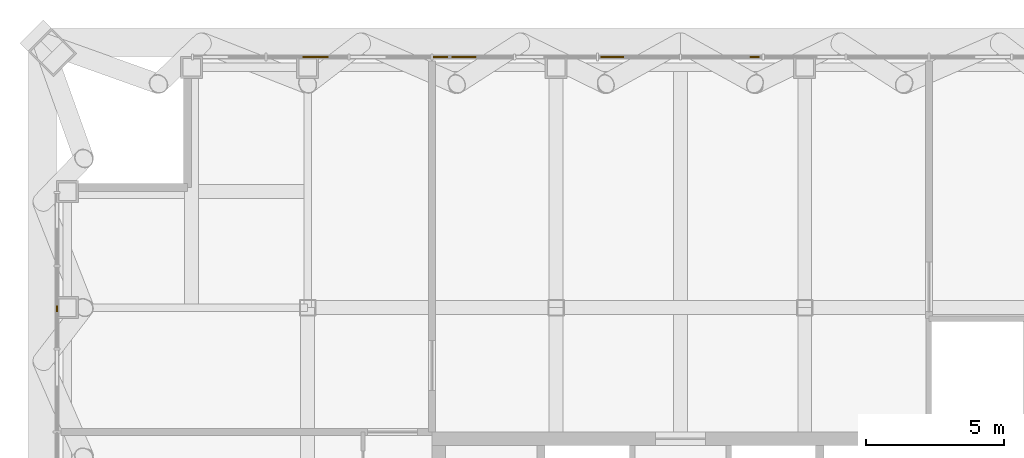
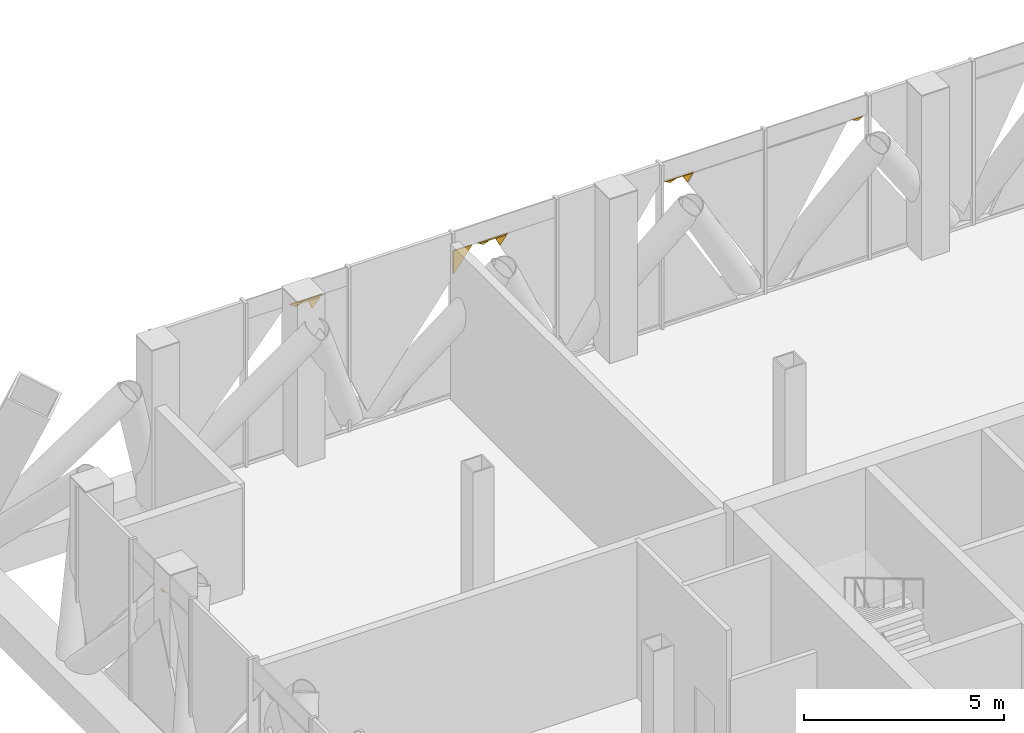
# One storey, part 25 of 27: 12 coverings.
"""IFC4 building model written with IfcOpenShell, lengths in metres."""

from ifc_helpers import new_model, si_unit, direction, frame, origin, place, context, subcontext, project, spatial, polyline, outline, extrude, material, layer, layer_set, type_object, element, save


model = new_model("IFC4")

# Units and contexts
model_context = context("Model", 3, precision=1e-05, world=origin(), true_north=direction((0.0, 1.0)))
body_context = subcontext(model_context, "Body", "Model", "MODEL_VIEW")
ifc_project = project(units=[si_unit("LENGTHUNIT", "METRE"), si_unit("AREAUNIT", "SQUARE_METRE"), si_unit("VOLUMEUNIT", "CUBIC_METRE"), si_unit("PLANEANGLEUNIT", "RADIAN"), si_unit("MASSUNIT", "GRAM", prefix="KILO")], contexts=[model_context])

# Site, building, storey
site_placement = place(None, origin())
site = spatial("IfcSite", under=ifc_project, at=site_placement, CompositionType="ELEMENT")
building_placement = place(site_placement, origin())
building = spatial("IfcBuilding", under=site, at=building_placement, Name="Malebo Sky Hospital", CompositionType="ELEMENT")
storey_placement = place(building_placement, frame((0.0, 0.0, 245.0)))
storey = spatial("IfcBuildingStorey", under=building, at=storey_placement, Name="L59", CompositionType="ELEMENT", Elevation=245.0)

# Coverings
ifc_material = material(Name="Anodised aluminium, natural silver insulated infill panel", Category="aluminium")
ifc_layer = layer(ifc_material, 0.0400390625)
ifc_layer_set = layer_set([ifc_layer], Name="BRACE INFILL PANEL 40")
covering_type = type_object("IfcCoveringType", Name="BRACE INFILL PANEL 40", PredefinedType="CLADDING", material=ifc_layer_set)
covering_1_placement = place(storey_placement, frame((47.025390625, 84.574951171875, 4.074951171875), z_axis=(0.0, 0.0, 1.0), x_axis=(1.0, 0.0, 0.0)))
element("IfcCovering", 1, at=covering_1_placement, inside=storey, type_object=covering_type, Name="Brace infill panel 2.4", PredefinedType="CLADDING", context=body_context, shape_type="SweptSolid", body=[
    extrude(outline(polyline([(-0.055419921875, 0.0), (0.171142578125, 0.26953125), (-0.1708984375, 0.26953125), (-0.055419921875, 0.0)])), frame((0.0, 0.02001953125, 0.0), z_axis=(0.0, -1.0, 0.0), x_axis=(1.0, 0.0, 0.0)), (0.0, 0.0, 1.0), 0.0400390625),
])
covering_2_placement = place(storey_placement, frame((46.5390625, 84.574951171875, 4.29150390625), z_axis=(0.0, 0.0, 1.0), x_axis=(1.0, 0.0, 0.0)))
element("IfcCovering", 2, at=covering_2_placement, inside=storey, type_object=covering_type, Name="Brace infill panel 2.5", PredefinedType="CLADDING", context=body_context, shape_type="SweptSolid", body=[
    extrude(outline(polyline([(-0.031005859375, 0.0), (0.114501953125, 0.052978515625), (-0.114501953125, 0.052978515625), (-0.031005859375, 0.0)])), frame((0.0, 0.02001953125, 0.0), z_axis=(0.0, -1.0, 0.0), x_axis=(1.0, 0.0, 0.0)), (0.0, 0.0, 1.0), 0.0400390625),
])
covering_3_placement = place(storey_placement, frame((46.78515625, 84.574951171875, 4.3447265625), z_axis=(0.0, 0.0, 1.0), x_axis=(1.0, 0.0, 0.0)))
element("IfcCovering", 3, at=covering_3_placement, inside=storey, type_object=covering_type, Name="Brace infill panel 2.6", PredefinedType="CLADDING", context=body_context, shape_type="SweptSolid", body=[
    extrude(outline(polyline([(-0.360595703125, 0.0), (0.41162109375, 0.0), (0.469482421875, 0.069091796875), (-0.469482421875, 0.069091796875), (-0.360595703125, 0.0)])), frame((0.0, 0.02001953125, 0.0), z_axis=(0.0, -1.0, 0.0), x_axis=(1.0, 0.0, 0.0)), (0.0, 0.0, 1.0), 0.0400390625),
])
covering_4_placement = place(storey_placement, frame((51.307373046875, 84.574951171875, 3.68994140625), z_axis=(0.0, 0.0, 1.0), x_axis=(1.0, 0.0, 0.0)))
element("IfcCovering", 4, at=covering_4_placement, inside=storey, type_object=covering_type, Name="Brace infill panel 4.2", PredefinedType="CLADDING", context=body_context, shape_type="SweptSolid", body=[
    extrude(outline(polyline([(-0.27001953125, 0.0), (0.27001953125, 0.7119140625), (-0.27001953125, 0.7119140625), (-0.27001953125, 0.0)])), frame((0.0, 0.02001953125, 0.0), z_axis=(0.0, -1.0, 0.0), x_axis=(1.0, 0.0, 0.0)), (0.0, 0.0, 1.0), 0.0400390625),
])
covering_5_placement = place(storey_placement, frame((52.411865234375, 84.574951171875, 4.106201171875), z_axis=(0.0, 0.0, 1.0), x_axis=(1.0, 0.0, 0.0)))
element("IfcCovering", 5, at=covering_5_placement, inside=storey, type_object=covering_type, Name="Brace infill panel 4.4", PredefinedType="CLADDING", context=body_context, shape_type="SweptSolid", body=[
    extrude(outline(polyline([(-0.031494140625, 0.0), (0.161376953125, 0.25390625), (-0.1611328125, 0.25390625), (-0.031494140625, 0.0)])), frame((0.0, 0.02001953125, 0.0), z_axis=(0.0, -1.0, 0.0), x_axis=(1.0, 0.0, 0.0)), (0.0, 0.0, 1.0), 0.0400390625),
])
covering_6_placement = place(storey_placement, frame((51.928466796875, 84.574951171875, 4.2919921875), z_axis=(0.0, 0.0, 1.0), x_axis=(1.0, 0.0, 0.0)))
element("IfcCovering", 6, at=covering_6_placement, inside=storey, type_object=covering_type, Name="Brace infill panel 4.5", PredefinedType="CLADDING", context=body_context, shape_type="SweptSolid", body=[
    extrude(outline(polyline([(-0.0234375, 0.0), (0.141845703125, 0.068115234375), (-0.141845703125, 0.068115234375), (-0.0234375, 0.0)])), frame((0.0, 0.02001953125, 0.0), z_axis=(0.0, -1.0, 0.0), x_axis=(1.0, 0.0, 0.0)), (0.0, 0.0, 1.0), 0.0400390625),
])
covering_7_placement = place(storey_placement, frame((52.159423828125, 84.574951171875, 4.3603515625), z_axis=(0.0, 0.0, 1.0), x_axis=(1.0, 0.0, 0.0)))
element("IfcCovering", 7, at=covering_7_placement, inside=storey, type_object=covering_type, Name="Brace infill panel 4.6", PredefinedType="CLADDING", context=body_context, shape_type="SweptSolid", body=[
    extrude(outline(polyline([(-0.372802734375, 0.0), (0.41357421875, 0.0), (0.4453125, 0.041748046875), (-0.4453125, 0.041748046875), (-0.372802734375, 0.0)])), frame((0.0, 0.02001953125, 0.0), z_axis=(0.0, -1.0, 0.0), x_axis=(1.0, 0.0, 0.0)), (0.0, 0.0, 1.0), 0.0400390625),
])
covering_8_placement = place(storey_placement, frame((57.79541015625, 84.574951171875, 4.1357421875), z_axis=(0.0, 0.0, 1.0), x_axis=(1.0, 0.0, 0.0)))
element("IfcCovering", 8, at=covering_8_placement, inside=storey, type_object=covering_type, Name="Brace infill panel 6.3", PredefinedType="CLADDING", context=body_context, shape_type="SweptSolid", body=[
    extrude(outline(polyline([(-0.010009765625, 0.0), (0.152099609375, 0.239501953125), (-0.152099609375, 0.239501953125), (-0.010009765625, 0.0)])), frame((0.0, 0.02001953125, 0.0), z_axis=(0.0, -1.0, 0.0), x_axis=(1.0, 0.0, 0.0)), (0.0, 0.0, 1.0), 0.0400390625),
])
covering_9_placement = place(storey_placement, frame((57.311279296875, 84.574951171875, 4.29248046875), z_axis=(0.0, 0.0, 1.0), x_axis=(1.0, 0.0, 0.0)))
element("IfcCovering", 9, at=covering_9_placement, inside=storey, type_object=covering_type, Name="Brace infill panel 6.4", PredefinedType="CLADDING", context=body_context, shape_type="SweptSolid", body=[
    extrude(outline(polyline([(-0.009521484375, 0.0), (0.168701171875, 0.082763671875), (-0.168701171875, 0.082763671875), (-0.009521484375, 0.0)])), frame((0.0, 0.02001953125, 0.0), z_axis=(0.0, -1.0, 0.0), x_axis=(1.0, 0.0, 0.0)), (0.0, 0.0, 1.0), 0.0400390625),
])
covering_10_placement = place(storey_placement, frame((57.5361328125, 84.574951171875, 4.375), z_axis=(0.0, 0.0, 1.0), x_axis=(1.0, 0.0, 0.0)))
element("IfcCovering", 10, at=covering_10_placement, inside=storey, type_object=covering_type, Name="Brace infill panel 6.5", PredefinedType="CLADDING", context=body_context, shape_type="SweptSolid", body=[
    extrude(outline(polyline([(-0.393798828125, 0.0), (0.4111328125, 0.0), (0.420654296875, 0.013916015625), (-0.420654296875, 0.013916015625), (-0.393798828125, 0.0)])), frame((0.0, 0.02001953125, 0.0), z_axis=(0.0, -1.0, 0.0), x_axis=(1.0, 0.0, 0.0)), (0.0, 0.0, 1.0), 0.0400390625),
])
covering_11_placement = place(storey_placement, frame((62.688720703125, 84.574951171875, 4.29248046875), z_axis=(0.0, 0.0, 1.0), x_axis=(1.0, 0.0, 0.0)))
element("IfcCovering", 11, at=covering_11_placement, inside=storey, type_object=covering_type, Name="Brace infill panel 7.3", PredefinedType="CLADDING", context=body_context, shape_type="SweptSolid", body=[
    extrude(outline(polyline([(0.009521484375, 0.0), (0.168701171875, 0.082763671875), (-0.168701171875, 0.082763671875), (0.009521484375, 0.0)])), frame((0.0, 0.02001953125, 0.0), z_axis=(0.0, -1.0, 0.0), x_axis=(1.0, 0.0, 0.0)), (0.0, 0.0, 1.0), 0.0400390625),
])
covering_12_placement = place(storey_placement, frame((37.425048828125, 75.4609375, 4.29150390625), z_axis=(0.0, 0.0, 1.0), x_axis=(0.0, 1.0, 0.0)))
element("IfcCovering", 12, at=covering_12_placement, inside=storey, type_object=covering_type, Name="Brace infill panel 11.4", PredefinedType="CLADDING", context=body_context, shape_type="SweptSolid", body=[
    extrude(outline(polyline([(0.031005859375, 0.0), (0.114501953125, 0.052978515625), (-0.114501953125, 0.052978515625), (0.031005859375, 0.0)])), frame((0.0, 0.02001953125, 0.0), z_axis=(0.0, -1.0, 0.0), x_axis=(1.0, 0.0, 0.0)), (0.0, 0.0, 1.0), 0.0400390625),
])

save(model, "model.ifc")
